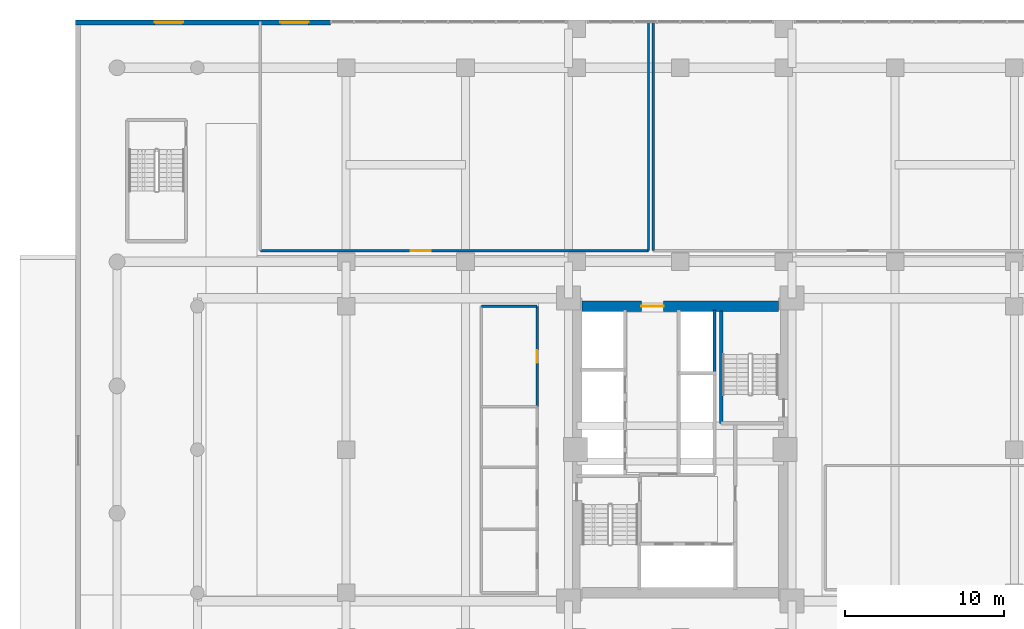
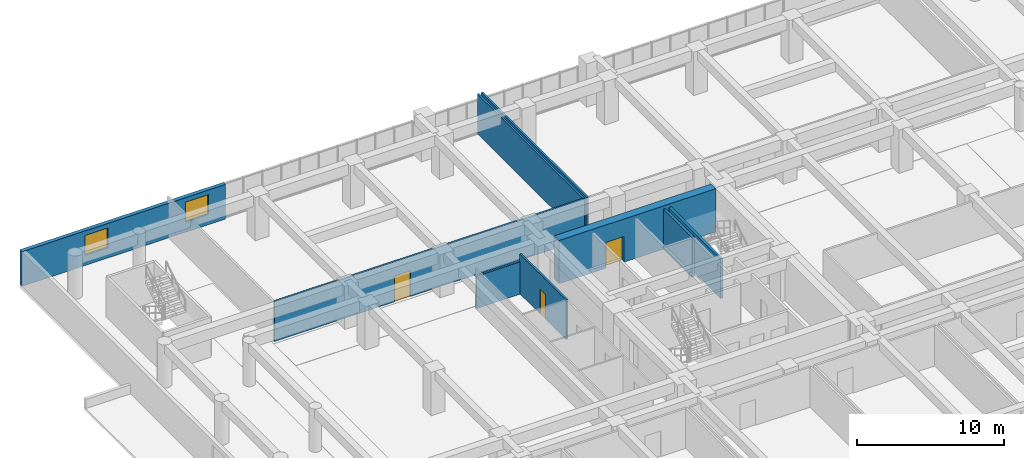
# One storey, part 17 of 27: 9 walls, 3 doors, 2 windows, 5 openings.
"""IFC4 building model written with IfcOpenShell, lengths in metres."""

import ifcopenshell
import ifcopenshell.guid

model = None  # the IFC model being written
_history = None  # IfcOwnerHistory: only IFC2X3 demands one
_inside = {}  # id of a spatial element -> (the spatial element, [elements in it])
_under = {}  # id of a project, library or spatial element -> (it, [spatial elements below it])
_declared = {}  # id of a project -> (the project, [libraries it declares])
_typed = {}  # id of a type object -> (the type object, [elements of that type])
_made_of = {}  # id of a material, layer set ... -> (it, [elements and type objects made of it])


def new_model(schema):
    """Start an empty IFC model of exactly this schema.

    Asked for "IFC4X3", IfcOpenShell would pick the latest addendum, in which some entities
    have other attributes; the version numbers below select the first issue.
    IFC2X3 requires an IfcOwnerHistory on every rooted entity: one is made here for all.
    """
    global model, _history
    if schema == "IFC4X3":
        model = ifcopenshell.file(schema_version=(4, 3, 0, 0))
    else:
        model = ifcopenshell.file(schema=schema)
    _inside.clear()
    _under.clear()
    _declared.clear()
    _typed.clear()
    _made_of.clear()
    _history = None
    if model.schema == "IFC2X3":
        org = make("IfcOrganization", Name="unknown")
        user = make(
            "IfcPersonAndOrganization",
            ThePerson=make("IfcPerson", FamilyName="unknown"),
            TheOrganization=org,
        )
        app = make(
            "IfcApplication",
            ApplicationDeveloper=org,
            Version="unknown",
            ApplicationFullName="unknown",
            ApplicationIdentifier="unknown",
        )
        _history = make(
            "IfcOwnerHistory",
            OwningUser=user,
            OwningApplication=app,
            ChangeAction="ADDED",
            CreationDate=0,
        )
    return model


def make(cls, **values):
    """One entity of the class cls with the attributes given. An attribute that is None is left unset."""
    return model.create_entity(
        cls, **{name: value for name, value in values.items() if value is not None}
    )


def rooted(cls, **values):
    """An entity with a GlobalId (a new one), such as an element, a storey or a relation."""
    return make(cls, GlobalId=ifcopenshell.guid.new(), OwnerHistory=_history, **values)


def si_unit(unit_type, name, prefix=None):
    """IfcSIUnit, for example si_unit("LENGTHUNIT", "METRE", prefix="MILLI")."""
    return make("IfcSIUnit", UnitType=unit_type, Prefix=prefix, Name=name)


def assignment(units):
    """IfcUnitAssignment: the units of a project."""
    return None if units is None else make("IfcUnitAssignment", Units=units)


def point(xyz):
    """IfcCartesianPoint."""
    return None if xyz is None else make("IfcCartesianPoint", Coordinates=xyz)


def direction(xyz):
    """IfcDirection."""
    return None if xyz is None else make("IfcDirection", DirectionRatios=xyz)


def frame(location, z_axis=None, x_axis=None):
    """IfcAxis2Placement3D, a coordinate frame: its origin and axes. An axis left out is left unset."""
    return make(
        "IfcAxis2Placement3D",
        Location=point(location),
        Axis=direction(z_axis),
        RefDirection=direction(x_axis),
    )


def frame_2d(location, x_axis=None):
    """IfcAxis2Placement2D, a coordinate frame in the plane: its origin and x axis."""
    return make(
        "IfcAxis2Placement2D", Location=point(location), RefDirection=direction(x_axis)
    )


def origin():
    """The frame at (0, 0, 0) with its axes left unset."""
    return frame((0.0, 0.0, 0.0))


def place(relative_to, where):
    """IfcLocalPlacement: puts the frame where relative to a parent placement (None: the world)."""
    return make(
        "IfcLocalPlacement", PlacementRelTo=relative_to, RelativePlacement=where
    )


def context(
    kind, dimensions, precision=None, world=None, true_north=None, identifier=None
):
    """IfcGeometricRepresentationContext, for example the 3D "Model" context."""
    return make(
        "IfcGeometricRepresentationContext",
        ContextIdentifier=identifier,
        ContextType=kind,
        CoordinateSpaceDimension=dimensions,
        Precision=precision,
        WorldCoordinateSystem=world,
        TrueNorth=true_north,
    )


def subcontext(parent, identifier, kind, view, scale=None):
    """IfcGeometricRepresentationSubContext, for example "Body" below "Model"."""
    return make(
        "IfcGeometricRepresentationSubContext",
        ContextIdentifier=identifier,
        ContextType=kind,
        ParentContext=parent,
        TargetScale=scale,
        TargetView=view,
    )


def project(units=None, contexts=None):
    """IfcProject with its units and contexts."""
    return rooted(
        "IfcProject",
        Name="project",
        RepresentationContexts=contexts,
        UnitsInContext=assignment(units),
    )


def spatial(cls, under=None, at=None, **own):
    """A site, building, storey or space (cls), placed at a placement, below another one or the project."""
    s = rooted(cls, ObjectPlacement=at, **own)
    if under is not None:
        _under.setdefault(under.id(), (under, []))[1].append(s)
    return s


def profile(cls, at=None, kind="AREA", **sizes):
    """A parametric profile (cls). Its sizes go by their IFC names, for example OverallWidth=200.0."""
    return make(cls, ProfileType=kind, Position=at, **sizes)


def rectangle(**sizes):
    """IfcRectangleProfileDef."""
    return profile("IfcRectangleProfileDef", **sizes)


def extrude(swept, where, along, depth):
    """IfcExtrudedAreaSolid: the profile swept, set in the frame where, extruded along a direction by depth."""
    return make(
        "IfcExtrudedAreaSolid",
        SweptArea=swept,
        Position=where,
        ExtrudedDirection=direction(along),
        Depth=depth,
    )


def shape(context_of_items, identifier, shape_type, items):
    """IfcShapeRepresentation: the items that make up one representation, for example the "Body"."""
    return make(
        "IfcShapeRepresentation",
        ContextOfItems=context_of_items,
        RepresentationIdentifier=identifier,
        RepresentationType=shape_type,
        Items=items,
    )


def source(mapping_origin, context_of_items, identifier, shape_type, items):
    """IfcRepresentationMap: a shape defined once, which mapped items show again and again."""
    return make(
        "IfcRepresentationMap",
        MappingOrigin=mapping_origin,
        MappedRepresentation=shape(context_of_items, identifier, shape_type, items),
    )


def transform(
    local_origin,
    x_axis=None,
    y_axis=None,
    z_axis=None,
    scale=None,
    scale2=None,
    scale3=None,
    uniform=True,
):
    """IfcCartesianTransformationOperator3D, or its non-uniform kind. x_axis, y_axis, z_axis: its Axis1, 2, 3."""
    if uniform:
        return make(
            "IfcCartesianTransformationOperator3D",
            Axis1=direction(x_axis),
            Axis2=direction(y_axis),
            LocalOrigin=point(local_origin),
            Scale=scale,
            Axis3=direction(z_axis),
        )
    return make(
        "IfcCartesianTransformationOperator3DnonUniform",
        Axis1=direction(x_axis),
        Axis2=direction(y_axis),
        LocalOrigin=point(local_origin),
        Scale=scale,
        Axis3=direction(z_axis),
        Scale2=scale2,
        Scale3=scale3,
    )


def mapped(mapping_source, mapping_target):
    """IfcMappedItem: shows the shape of a source again, moved by a transform."""
    return make(
        "IfcMappedItem", MappingSource=mapping_source, MappingTarget=mapping_target
    )


def material(Name=None, Category=None):
    """IfcMaterial."""
    return make("IfcMaterial", Name=Name, Category=Category)


def layer(
    of_material, thickness, ventilated=None, Name=None, Category=None, Priority=None
):
    """IfcMaterialLayer: one layer of a wall or slab, of a material (None: an air gap)."""
    return make(
        "IfcMaterialLayer",
        Material=of_material,
        LayerThickness=thickness,
        IsVentilated=ventilated,
        Name=Name,
        Category=Category,
        Priority=Priority,
    )


def layer_set(layers, Name=None):
    """IfcMaterialLayerSet."""
    return make("IfcMaterialLayerSet", MaterialLayers=layers, LayerSetName=Name)


def made_of(thing, what):
    """Note that an element or type object is made of a material, layer set ...; save() writes the relation."""
    if what is not None:
        _made_of.setdefault(what.id(), (what, []))[1].append(thing)
    return thing


def type_object(cls, material=None, **own):
    """A type object (cls), such as IfcWallType, which elements share."""
    return made_of(rooted(cls, **own), material)


def element(
    cls,
    number,
    at=None,
    inside=None,
    cuts=None,
    type_object=None,
    material=None,
    context=None,
    identifier="Body",
    shape_type=None,
    held_by="IfcProductDefinitionShape",
    body=None,
    shapes=None,
    **own,
):
    """One element of the class cls, such as IfcWall. Its Tag is "e" and its number.

    at: its placement. inside: the storey or other place that contains it. cuts: it is an
    opening in that element (IfcRelVoidsElement). A single representation is given by context,
    identifier, shape_type and body (its items); several are given by shapes. held_by: the class
    of the entity that holds the representations. save() writes the other relations.
    """
    e = rooted(cls, Tag="e%d" % number, ObjectPlacement=at, **own)
    if body is not None:
        shapes = [shape(context, identifier, shape_type, body)]
    if shapes is not None:
        e.Representation = make(held_by, Representations=shapes)
    if inside is not None:
        _inside.setdefault(inside.id(), (inside, []))[1].append(e)
    if cuts is not None:
        rooted(
            "IfcRelVoidsElement", RelatingBuildingElement=cuts, RelatedOpeningElement=e
        )
    if type_object is not None:
        _typed.setdefault(type_object.id(), (type_object, []))[1].append(e)
    return made_of(e, material)


def fill(opening, filler):
    """IfcRelFillsElement: the door or window that sits in an opening."""
    return rooted(
        "IfcRelFillsElement",
        RelatingOpeningElement=opening,
        RelatedBuildingElement=filler,
    )


def aggregate(whole, parts):
    """IfcRelAggregates: a whole, such as a stair, and the parts it consists of."""
    return rooted("IfcRelAggregates", RelatingObject=whole, RelatedObjects=parts)


def save(model, path):
    """Write the relations noted so far, then the file.

    IfcRelAggregates (storeys below a building ...), IfcRelContainedInSpatialStructure (elements
    in a storey), IfcRelDefinesByType, IfcRelAssociatesMaterial and IfcRelDeclares: one each for
    every whole, place, type object, material and project.
    """
    for whole, parts in _under.values():
        aggregate(whole, parts)
    for where, things in _inside.values():
        rooted(
            "IfcRelContainedInSpatialStructure",
            RelatedElements=things,
            RelatingStructure=where,
        )
    for kind, things in _typed.values():
        rooted("IfcRelDefinesByType", RelatedObjects=things, RelatingType=kind)
    for what, things in _made_of.values():
        rooted("IfcRelAssociatesMaterial", RelatedObjects=things, RelatingMaterial=what)
    for by, libraries in _declared.values():
        rooted("IfcRelDeclares", RelatingContext=by, RelatedDefinitions=libraries)
    model.write(path)


model = new_model("IFC4")

# Units and contexts
model_context = context("Model", 3, precision=1e-05, world=origin(), true_north=direction((0.0, 1.0)))
body_context = subcontext(model_context, "Body", "Model", "MODEL_VIEW")
ifc_project = project(units=[si_unit("LENGTHUNIT", "METRE"), si_unit("AREAUNIT", "SQUARE_METRE"), si_unit("VOLUMEUNIT", "CUBIC_METRE"), si_unit("PLANEANGLEUNIT", "RADIAN"), si_unit("MASSUNIT", "GRAM", prefix="KILO")], contexts=[model_context])

# Site, building, storey
site_placement = place(None, origin())
site = spatial("IfcSite", under=ifc_project, at=site_placement, CompositionType="ELEMENT")
building_placement = place(site_placement, origin())
building = spatial("IfcBuilding", under=site, at=building_placement, Name="Saelheon Loggia Tower", CompositionType="ELEMENT")
storey_placement = place(building_placement, frame((0.0, 0.0, 4.199951171875)))
storey = spatial("IfcBuildingStorey", under=building, at=storey_placement, Name="L01", CompositionType="ELEMENT", Elevation=4.199951171875)

# Wall, opening, door
ifc_material_1 = material(Name="Concrete C60/75", Category="concrete")
ifc_layer_1 = layer(ifc_material_1, 0.64990234375)
ifc_layer_set_1 = layer_set([ifc_layer_1], Name="Concrete C60/75")
wall_type_1 = type_object("IfcWallType", Name="Wall_CoreShear_650", PredefinedType="SHEAR", material=ifc_layer_set_1)
wall_1_placement = place(storey_placement, frame((31.824951171875, 36.0, 0.0), z_axis=(0.0, 0.0, 1.0), x_axis=(1.0, 0.0, 0.0)))
wall_1 = element("IfcWall", 1, at=wall_1_placement, inside=storey, type_object=wall_type_1, Name="L01 Core Shear Wall North", PredefinedType="SHEAR", context=body_context, shape_type="SweptSolid", body=[
    extrude(rectangle(XDim=12.35009765625, YDim=0.64990234375, at=frame_2d((6.175048828125, 0.0))), origin(), (0.0, 0.0, 1.0), 3.60009765625),
])
opening_1_placement = place(wall_1_placement, frame((5.125, 0.0, 0.0), z_axis=(0.0, 0.0, 1.0), x_axis=(-1.0, 0.0, 0.0)))
opening_1 = element("IfcOpeningElement", 2, at=opening_1_placement, cuts=wall_1, Name="Opening D-FD2L", PredefinedType="OPENING", context=body_context, shape_type="SweptSolid", body=[
    extrude(rectangle(XDim=1.39990234375, YDim=2.14990234375, at=frame_2d((0.699951171875, 1.074951171875))), frame((0.0, 0.3369140625, 0.0), z_axis=(0.0, -1.0, 0.0), x_axis=(1.0, 0.0, 0.0)), (0.0, 0.0, 1.0), 0.673828125),
])
ifc_material_2 = material(Name="Galvanised Steel Glazed Lobby Fire Door", Category="steel")
door_type_1 = type_object("IfcDoorType", Name="Door_Fire_FD60_1400", OperationType="NOTDEFINED", PredefinedType="DOOR", material=ifc_material_2)
shared_shape_1 = source(origin(), body_context, "Body", "SweptSolid", [
    extrude(rectangle(XDim=1.39990234375, YDim=2.14990234375, at=frame_2d((0.699951171875, 1.074951171875))), frame((0.0, 0.02490234375, 0.0), z_axis=(0.0, -1.0, 0.0), x_axis=(1.0, 0.0, 0.0)), (0.0, 0.0, 1.0), 0.050048828125),
])
door_1_placement = place(opening_1_placement, origin())
door_1 = element("IfcDoor", 3, at=door_1_placement, inside=storey, type_object=door_type_1, Name="L01 Passenger Lift Lobby Main Door", OperationType="SINGLE_SWING_RIGHT", OverallHeight=2.14990234375, OverallWidth=1.39990234375, PredefinedType="DOOR", context=body_context, shape_type="MappedRepresentation", body=[
    mapped(shared_shape_1, transform((0.0, 0.0, 0.0), scale=1.0)),
])
fill(opening_1, door_1)

# Wall, openings, windows
ifc_material_3 = material(Name="Architectural Precast Concrete C40/50", Category="concrete")
ifc_layer_2 = layer(ifc_material_3, 0.300048828125)
ifc_layer_set_2 = layer_set([ifc_layer_2], Name="Architectural Precast Concrete C40/50")
wall_type_2 = type_object("IfcWallType", Name="Wall_Ext_Podium_300", PredefinedType="SOLIDWALL", material=ifc_layer_set_2)
wall_2_placement = place(storey_placement, frame((0.0, 53.85009765625, 0.0), z_axis=(0.0, 0.0, 1.0), x_axis=(1.0, 0.0, 0.0)))
wall_2 = element("IfcWall", 4, at=wall_2_placement, inside=storey, type_object=wall_type_2, Name="L01 North-West Precast Wall", PredefinedType="SOLIDWALL", context=body_context, shape_type="SweptSolid", body=[
    extrude(rectangle(XDim=16.0, YDim=0.300048828125, at=frame_2d((8.0, 0.0))), origin(), (0.0, 0.0, 1.0), 2.880126953125),
])
opening_2_placement = place(wall_2_placement, frame((4.955078125, 0.0, 0.85009765625)))
opening_2 = element("IfcOpeningElement", 5, at=opening_2_placement, cuts=wall_2, Name="Opening WN-01", PredefinedType="OPENING", context=body_context, shape_type="SweptSolid", body=[
    extrude(rectangle(XDim=1.800048828125, YDim=1.64990234375, at=frame_2d((0.89990234375, 0.824951171875))), frame((0.0, 0.162109375, 0.0), z_axis=(0.0, -1.0, 0.0), x_axis=(1.0, 0.0, 0.0)), (0.0, 0.0, 1.0), 0.323974609375),
])
opening_3_placement = place(wall_2_placement, frame((12.844970703125, 0.0, 0.85009765625)))
opening_3 = element("IfcOpeningElement", 6, at=opening_3_placement, cuts=wall_2, Name="Opening WN-01", PredefinedType="OPENING", context=body_context, shape_type="SweptSolid", body=[
    extrude(rectangle(XDim=1.800048828125, YDim=1.64990234375, at=frame_2d((0.89990234375, 0.824951171875))), frame((0.0, 0.162109375, 0.0), z_axis=(0.0, -1.0, 0.0), x_axis=(1.0, 0.0, 0.0)), (0.0, 0.0, 1.0), 0.323974609375),
])
ifc_material_4 = material(Name="Thermal-Break Aluminium and Triple Low-E Glass", Category="aluminium")
window_type = type_object("IfcWindowType", Name="Win_Dwelling_1800x1650", PartitioningType="SINGLE_PANEL", PredefinedType="WINDOW", material=ifc_material_4)
shared_shape_2 = source(origin(), body_context, "Body", "SweptSolid", [
    extrude(rectangle(XDim=1.800048828125, YDim=1.64990234375, at=frame_2d((0.89990234375, 0.824951171875))), frame((0.0, 0.030029296875, 0.0), z_axis=(0.0, -1.0, 0.0), x_axis=(1.0, 0.0, 0.0)), (0.0, 0.0, 1.0), 0.06005859375),
])
window_1_placement = place(opening_2_placement, origin())
window_1 = element("IfcWindow", 7, at=window_1_placement, inside=storey, type_object=window_type, Name="L01 NW Dwelling Window 1", OverallHeight=1.64990234375, OverallWidth=1.800048828125, PartitioningType="SINGLE_PANEL", PredefinedType="WINDOW", context=body_context, shape_type="MappedRepresentation", body=[
    mapped(shared_shape_2, transform((0.0, 0.0, 0.0), scale=1.0)),
])
fill(opening_2, window_1)
window_2_placement = place(opening_3_placement, origin())
window_2 = element("IfcWindow", 8, at=window_2_placement, inside=storey, type_object=window_type, Name="L01 NW Dwelling Window 2", OverallHeight=1.64990234375, OverallWidth=1.800048828125, PartitioningType="SINGLE_PANEL", PredefinedType="WINDOW", context=body_context, shape_type="MappedRepresentation", body=[
    mapped(shared_shape_2, transform((0.0, 0.0, 0.0), scale=1.0)),
])
fill(opening_3, window_2)

# Wall, opening, door
ifc_material_5 = material(Name="Lightweight Autoclaved Aerated Concrete Block and Acoustic Gypsum", Category="concrete")
ifc_layer_3 = layer(ifc_material_5, 0.14990234375)
ifc_layer_set_3 = layer_set([ifc_layer_3], Name="Lightweight Autoclaved Aerated Concrete Block and Acoustic Gypsum")
wall_type_3 = type_object("IfcWallType", Name="Wall_Part_150", PredefinedType="PARTITIONING", material=ifc_layer_set_3)
wall_3_placement = place(storey_placement, frame((29.0, 29.699951171875, 0.0), z_axis=(0.0, 0.0, 1.0), x_axis=(0.0, 1.0, 0.0)))
wall_3 = element("IfcWall", 9, at=wall_3_placement, inside=storey, type_object=wall_type_3, Name="PW-L01-WCS-E4", PredefinedType="PARTITIONING", context=body_context, shape_type="SweptSolid", body=[
    extrude(rectangle(XDim=6.300048828125, YDim=0.14990234375, at=frame_2d((3.14990234375, 0.0))), origin(), (0.0, 0.0, 1.0), 3.320068359375),
])
opening_4_placement = place(wall_3_placement, frame((2.75, 0.0, 0.0)))
opening_4 = element("IfcOpeningElement", 10, at=opening_4_placement, cuts=wall_3, Name="Opening D-ST1", PredefinedType="OPENING", context=body_context, shape_type="SweptSolid", body=[
    extrude(rectangle(XDim=0.800048828125, YDim=2.050048828125, at=frame_2d((0.39990234375, 1.02490234375))), frame((0.0, 0.0869140625, 0.0), z_axis=(0.0, -1.0, 0.0), x_axis=(1.0, 0.0, 0.0)), (0.0, 0.0, 1.0), 0.173828125),
])
ifc_material_6 = material(Name="Powder-Coated Steel Store Door", Category="steel")
door_type_2 = type_object("IfcDoorType", Name="Door_Store_800", OperationType="NOTDEFINED", PredefinedType="DOOR", material=ifc_material_6)
shared_shape_3 = source(origin(), body_context, "Body", "SweptSolid", [
    extrude(rectangle(XDim=0.800048828125, YDim=2.050048828125, at=frame_2d((0.39990234375, 1.02490234375))), frame((0.0, 0.02490234375, 0.0), z_axis=(0.0, -1.0, 0.0), x_axis=(1.0, 0.0, 0.0)), (0.0, 0.0, 1.0), 0.050048828125),
])
door_2_placement = place(opening_4_placement, origin())
door_2 = element("IfcDoor", 11, at=door_2_placement, inside=storey, type_object=door_type_2, Name="L01 Clinic Janitor Door", OperationType="SINGLE_SWING_LEFT", OverallHeight=2.050048828125, OverallWidth=0.800048828125, PredefinedType="DOOR", context=body_context, shape_type="MappedRepresentation", body=[
    mapped(shared_shape_3, transform((0.0, 0.0, 0.0), scale=1.0)),
])
fill(opening_4, door_2)

# Wall
wall_4_placement = place(storey_placement, frame((25.5, 36.0, 0.0), z_axis=(0.0, 0.0, 1.0), x_axis=(1.0, 0.0, 0.0)))
element("IfcWall", 12, at=wall_4_placement, inside=storey, type_object=wall_type_3, Name="PW-L01-WCS-N", PredefinedType="PARTITIONING", context=body_context, shape_type="SweptSolid", body=[
    extrude(rectangle(XDim=3.5, YDim=0.14990234375, at=frame_2d((1.75, 0.0))), origin(), (0.0, 0.0, 1.0), 2.68994140625),
])

# Wall, opening, door
wall_5_placement = place(storey_placement, frame((11.60009765625, 39.5, 0.0), z_axis=(0.0, 0.0, 1.0), x_axis=(1.0, 0.0, 0.0)))
wall_5 = element("IfcWall", 13, at=wall_5_placement, inside=storey, type_object=wall_type_3, Name="PW-L01-WAIT1-S", PredefinedType="PARTITIONING", context=body_context, shape_type="SweptSolid", body=[
    extrude(rectangle(XDim=24.39990234375, YDim=0.14990234375, at=frame_2d((12.199951171875, 0.0))), origin(), (0.0, 0.0, 1.0), 3.320068359375),
])
opening_5_placement = place(wall_5_placement, frame((9.47021484375, 0.0, 0.0)))
opening_5 = element("IfcOpeningElement", 14, at=opening_5_placement, cuts=wall_5, Name="Opening D-CL1", PredefinedType="OPENING", context=body_context, shape_type="SweptSolid", body=[
    extrude(rectangle(XDim=1.25, YDim=2.14990234375, at=frame_2d((0.625, 1.074951171875))), frame((0.0, 0.0869140625, 0.0), z_axis=(0.0, -1.0, 0.0), x_axis=(1.0, 0.0, 0.0)), (0.0, 0.0, 1.0), 0.173828125),
])
ifc_material_7 = material(Name="Antimicrobial Hospital Laminate Door", Category="timber")
door_type_3 = type_object("IfcDoorType", Name="Door_Clinic_1250", OperationType="NOTDEFINED", PredefinedType="DOOR", material=ifc_material_7)
shared_shape_4 = source(origin(), body_context, "Body", "SweptSolid", [
    extrude(rectangle(XDim=1.25, YDim=2.14990234375, at=frame_2d((0.625, 1.074951171875))), frame((0.0, 0.02490234375, 0.0), z_axis=(0.0, -1.0, 0.0), x_axis=(1.0, 0.0, 0.0)), (0.0, 0.0, 1.0), 0.050048828125),
])
door_3_placement = place(opening_5_placement, origin())
door_3 = element("IfcDoor", 15, at=door_3_placement, inside=storey, type_object=door_type_3, Name="L01 Primary Care Waiting Hall Door", OperationType="SINGLE_SWING_LEFT", OverallHeight=2.14990234375, OverallWidth=1.25, PredefinedType="DOOR", context=body_context, shape_type="MappedRepresentation", body=[
    mapped(shared_shape_4, transform((0.0, 0.0, 0.0), scale=1.0)),
])
fill(opening_5, door_3)

# Walls
for number, where, z_axis, x_axis, name in (
    (16, (36.0, 39.5, 0.0), (0.0, 0.0, 1.0), (0.0, 1.0, 0.0), "PW-L01-WAIT1-E"),
    (17, (36.300048828125, 39.5, 0.0), (0.0, 0.0, 1.0), (0.0, 1.0, 0.0), "PW-L01-GERI-W"),
):
    element("IfcWall", number, at=place(storey_placement, frame(where, z_axis=z_axis, x_axis=x_axis)), inside=storey, type_object=wall_type_3, Name=name, PredefinedType="PARTITIONING", context=body_context, shape_type="SweptSolid", body=[
        extrude(rectangle(XDim=14.39990234375, YDim=0.14990234375, at=frame_2d((7.199951171875, 0.0))), origin(), (0.0, 0.0, 1.0), 3.320068359375),
    ])
ifc_material_8 = material(Name="Concrete C40/50", Category="concrete")
ifc_layer_4 = layer(ifc_material_8, 0.199951171875)
ifc_layer_set_4 = layer_set([ifc_layer_4], Name="Concrete C40/50")
wall_type_4 = type_object("IfcWallType", Name="Wall_Shaft_200", PredefinedType="PARTITIONING", material=ifc_layer_set_4)
wall_6_placement = place(storey_placement, frame((40.14990234375, 31.800048828125, 0.0), z_axis=(0.0, 0.0, 1.0), x_axis=(0.0, 1.0, 0.0)))
element("IfcWall", 18, at=wall_6_placement, inside=storey, type_object=wall_type_4, Name="L01 East High-Rise Hoistway East Wall", PredefinedType="PARTITIONING", context=body_context, shape_type="SweptSolid", body=[
    extrude(rectangle(XDim=3.97998046875, YDim=0.199951171875, at=frame_2d((1.989990234375, 0.0))), origin(), (0.0, 0.0, 1.0), 3.320068359375),
])
ifc_material_9 = material(Name="Concrete C45/55", Category="concrete")
ifc_layer_5 = layer(ifc_material_9, 0.199951171875)
ifc_layer_set_5 = layer_set([ifc_layer_5], Name="Concrete C45/55")
wall_type_5 = type_object("IfcWallType", Name="Wall_StairShaft_RC200", PredefinedType="SOLIDWALL", material=ifc_layer_set_5)
wall_7_placement = place(storey_placement, frame((40.570068359375, 28.64990234375, 0.0), z_axis=(0.0, 0.0, 1.0), x_axis=(0.0, 1.0, 0.0)))
element("IfcWall", 19, at=wall_7_placement, inside=storey, type_object=wall_type_5, Name="L01 Stair ST2 Shaft Wall", PredefinedType="SOLIDWALL", context=body_context, shape_type="SweptSolid", body=[
    extrude(rectangle(XDim=7.050048828125, YDim=0.199951171875, at=frame_2d((3.52490234375, 0.0))), origin(), (0.0, 0.0, 1.0), 3.320068359375),
])

save(model, "model.ifc")
